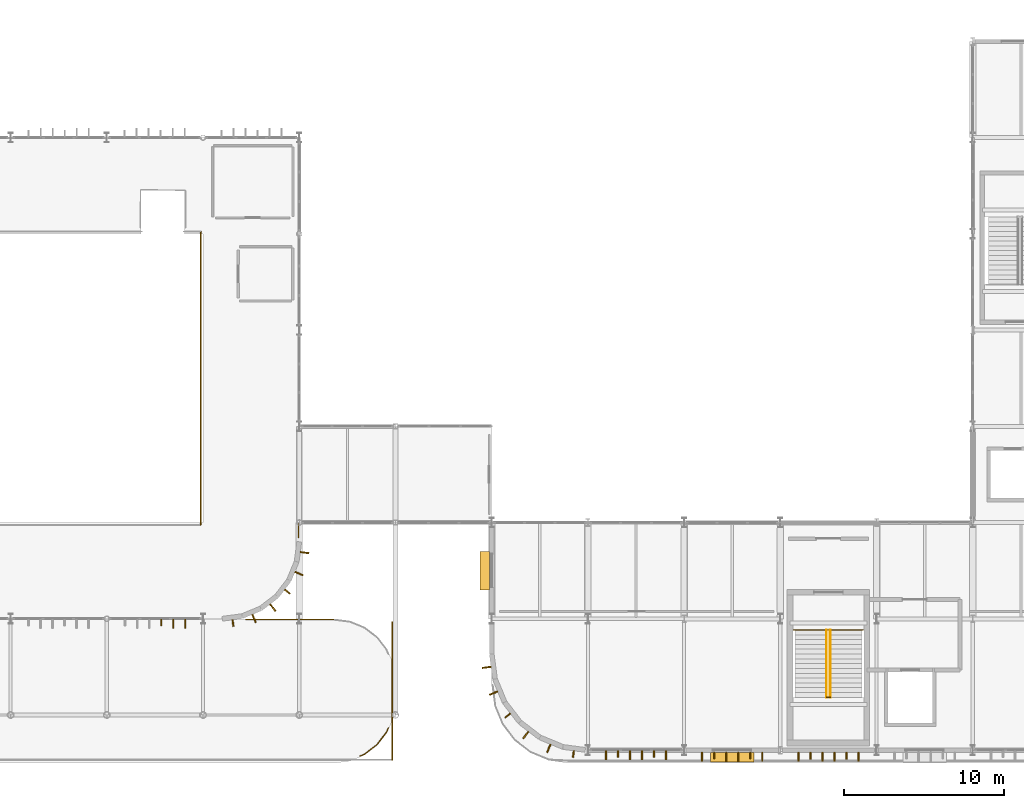
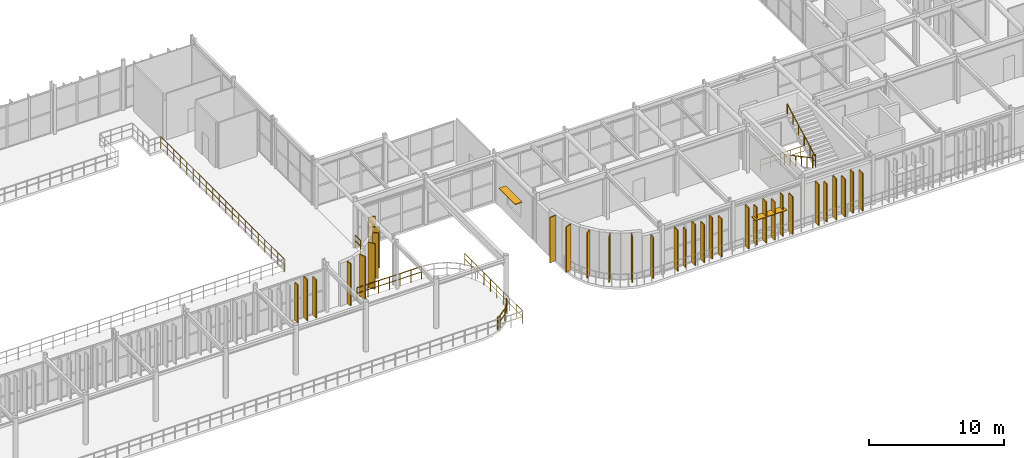
# One storey, part 84 of 96: 33 coverings, 9 railings, 2 shading devices.
"""IFC4 building model written with IfcOpenShell, lengths in metres."""

from ifc_helpers import new_model, si_unit, direction, frame, origin, origin_2d, place, context, subcontext, project, spatial, rectangle, circle, extrude, material, layer, layer_set, type_object, element, save


model = new_model("IFC4")

# Units and contexts
model_context = context("Model", 3, precision=1e-05, world=origin(), true_north=direction((0.0, 1.0)))
body_context = subcontext(model_context, "Body", "Model", "MODEL_VIEW")
ifc_project = project(units=[si_unit("LENGTHUNIT", "METRE"), si_unit("AREAUNIT", "SQUARE_METRE"), si_unit("VOLUMEUNIT", "CUBIC_METRE"), si_unit("PLANEANGLEUNIT", "RADIAN"), si_unit("MASSUNIT", "GRAM", prefix="KILO")], contexts=[model_context])

# Site, building, storey
site_placement = place(None, origin())
site = spatial("IfcSite", under=ifc_project, at=site_placement, CompositionType="ELEMENT")
building_placement = place(site_placement, origin())
building = spatial("IfcBuilding", under=site, at=building_placement, Name="Varnakota Square Police Headquarters", CompositionType="ELEMENT")
storey_placement = place(building_placement, frame((0.0, 0.0, 4.800048828125)))
storey = spatial("IfcBuildingStorey", under=building, at=storey_placement, Name="L01", CompositionType="ELEMENT", Elevation=4.800048828125)

# Coverings
ifc_material_1 = material(Name="White Anodised Aluminium Vertical Facade Blade 420", Category="aluminium")
ifc_layer_1 = layer(ifc_material_1, 0.0849609375, Name="White Anodised Aluminium Vertical Facade Blade 420")
ifc_layer_set_1 = layer_set([ifc_layer_1], Name="White Anodised Aluminium Vertical Facade Blade 420")
covering_type_1 = type_object("IfcCoveringType", Name="COV-FIN-420", PredefinedType="CLADDING", material=ifc_layer_set_1)
covering_1_placement = place(storey_placement, frame((87.3935546875, 8.762451171875, 0.0400390625), z_axis=(0.0, 0.0, 1.0), x_axis=(1.0, 0.0, 0.0)))
element("IfcCovering", 1, at=covering_1_placement, inside=storey, type_object=covering_type_1, Name="Vertical aluminium facade fin FIN-0082", PredefinedType="CLADDING", context=body_context, shape_type="SweptSolid", body=[
    extrude(rectangle(XDim=0.0849609375, YDim=0.419921875, at=origin_2d()), origin(), (0.0, 0.0, 1.0), 3.429931640625),
])
covering_2_placement = place(storey_placement, frame((91.867431640625, 8.729736328125, 0.0400390625), z_axis=(0.0, 0.0, 1.0), x_axis=(0.991444861374, 0.13052619222, 0.0)))
element("IfcCovering", 2, at=covering_2_placement, inside=storey, type_object=covering_type_1, Name="Vertical aluminium facade fin FIN-0133", PredefinedType="CLADDING", context=body_context, shape_type="SweptSolid", body=[
    extrude(rectangle(XDim=0.0849609375, YDim=0.419921875, at=origin_2d()), origin(), (0.0, 0.0, 1.0), 3.81005859375),
])
covering_3_placement = place(storey_placement, frame((95.257080078125, 10.686767578125, 0.0400390625), z_axis=(0.0, 0.0, 1.0), x_axis=(0.608761429009, 0.793353340291, 0.0)))
element("IfcCovering", 3, at=covering_3_placement, inside=storey, type_object=covering_type_1, Name="Vertical aluminium facade fin FIN-0136", PredefinedType="CLADDING", context=body_context, shape_type="SweptSolid", body=[
    extrude(rectangle(XDim=0.0849609375, YDim=0.419921875, at=origin_2d()), origin(), (0.0, 0.0, 1.0), 4.114990234375),
])
covering_4_placement = place(storey_placement, frame((115.875, 0.5625, 0.0400390625), z_axis=(0.0, 0.0, 1.0), x_axis=(1.0, 0.0, 0.0)))
element("IfcCovering", 4, at=covering_4_placement, inside=storey, type_object=covering_type_1, Name="Vertical aluminium facade fin FIN-0234", PredefinedType="CLADDING", context=body_context, shape_type="SweptSolid", body=[
    extrude(rectangle(XDim=0.0849609375, YDim=0.419921875, at=origin_2d()), origin(), (0.0, 0.0, 1.0), 3.429931640625),
])
covering_5_placement = place(storey_placement, frame((118.125, 0.5625, 0.0400390625), z_axis=(0.0, 0.0, 1.0), x_axis=(1.0, 0.0, 0.0)))
element("IfcCovering", 5, at=covering_5_placement, inside=storey, type_object=covering_type_1, Name="Vertical aluminium facade fin FIN-0237", PredefinedType="CLADDING", context=body_context, shape_type="SweptSolid", body=[
    extrude(rectangle(XDim=0.0849609375, YDim=0.419921875, at=origin_2d()), origin(), (0.0, 0.0, 1.0), 3.7099609375),
])
covering_6_placement = place(storey_placement, frame((121.875, 0.465087890625, 0.0400390625), z_axis=(0.0, 0.0, 1.0), x_axis=(1.0, 0.0, 0.0)))
element("IfcCovering", 6, at=covering_6_placement, inside=storey, type_object=covering_type_1, Name="Vertical aluminium facade fin FIN-0240", PredefinedType="CLADDING", context=body_context, shape_type="SweptSolid", body=[
    extrude(rectangle(XDim=0.0849609375, YDim=0.419921875, at=origin_2d()), origin(), (0.0, 0.0, 1.0), 3.429931640625),
])
covering_7_placement = place(storey_placement, frame((124.125, 0.465087890625, 0.0400390625), z_axis=(0.0, 0.0, 1.0), x_axis=(1.0, 0.0, 0.0)))
element("IfcCovering", 7, at=covering_7_placement, inside=storey, type_object=covering_type_1, Name="Vertical aluminium facade fin FIN-0243", PredefinedType="CLADDING", context=body_context, shape_type="SweptSolid", body=[
    extrude(rectangle(XDim=0.0849609375, YDim=0.419921875, at=origin_2d()), origin(), (0.0, 0.0, 1.0), 3.7099609375),
])
covering_8_placement = place(storey_placement, frame((127.875, 0.455078125, 0.0400390625), z_axis=(0.0, 0.0, 1.0), x_axis=(1.0, 0.0, 0.0)))
element("IfcCovering", 8, at=covering_8_placement, inside=storey, type_object=covering_type_1, Name="Vertical aluminium facade fin FIN-0246", PredefinedType="CLADDING", context=body_context, shape_type="SweptSolid", body=[
    extrude(rectangle(XDim=0.0849609375, YDim=0.419921875, at=origin_2d()), origin(), (0.0, 0.0, 1.0), 3.429931640625),
])
covering_9_placement = place(storey_placement, frame((130.125, 0.455078125, 0.0400390625), z_axis=(0.0, 0.0, 1.0), x_axis=(1.0, 0.0, 0.0)))
element("IfcCovering", 9, at=covering_9_placement, inside=storey, type_object=covering_type_1, Name="Vertical aluminium facade fin FIN-0249", PredefinedType="CLADDING", context=body_context, shape_type="SweptSolid", body=[
    extrude(rectangle(XDim=0.0849609375, YDim=0.419921875, at=origin_2d()), origin(), (0.0, 0.0, 1.0), 3.7099609375),
])
covering_10_placement = place(storey_placement, frame((108.9990234375, 2.962646484375, 0.0400390625), z_axis=(0.0, 0.0, 1.0), x_axis=(0.608761429009, -0.793353340291, 0.0)))
element("IfcCovering", 10, at=covering_10_placement, inside=storey, type_object=covering_type_1, Name="Vertical aluminium facade fin FIN-0316", PredefinedType="CLADDING", context=body_context, shape_type="SweptSolid", body=[
    extrude(rectangle(XDim=0.0849609375, YDim=0.419921875, at=origin_2d()), origin(), (0.0, 0.0, 1.0), 4.114990234375),
])
covering_11_placement = place(storey_placement, frame((113.094482421875, 0.56103515625, 0.0400390625), z_axis=(0.0, 0.0, 1.0), x_axis=(0.991444861374, -0.13052619222, 0.0)))
element("IfcCovering", 11, at=covering_11_placement, inside=storey, type_object=covering_type_1, Name="Vertical aluminium facade fin FIN-0319", PredefinedType="CLADDING", context=body_context, shape_type="SweptSolid", body=[
    extrude(rectangle(XDim=0.0849609375, YDim=0.419921875, at=origin_2d()), origin(), (0.0, 0.0, 1.0), 3.7099609375),
])
ifc_material_2 = material(Name="White Anodised Aluminium Vertical Facade Blade 550", Category="aluminium")
ifc_layer_2 = layer(ifc_material_2, 0.0849609375, Name="White Anodised Aluminium Vertical Facade Blade 550")
ifc_layer_set_2 = layer_set([ifc_layer_2], Name="White Anodised Aluminium Vertical Facade Blade 550")
covering_type_2 = type_object("IfcCoveringType", Name="COV-FIN-550", PredefinedType="CLADDING", material=ifc_layer_set_2)
covering_12_placement = place(storey_placement, frame((88.1435546875, 8.697509765625, 0.0400390625), z_axis=(0.0, 0.0, 1.0), x_axis=(1.0, 0.0, 0.0)))
element("IfcCovering", 12, at=covering_12_placement, inside=storey, type_object=covering_type_2, Name="Vertical aluminium facade fin FIN-0083", PredefinedType="CLADDING", context=body_context, shape_type="SweptSolid", body=[
    extrude(rectangle(XDim=0.0849609375, YDim=0.550048828125, at=origin_2d()), origin(), (0.0, 0.0, 1.0), 3.7099609375),
])
covering_13_placement = place(storey_placement, frame((88.8935546875, 8.697509765625, 0.0400390625), z_axis=(0.0, 0.0, 1.0), x_axis=(1.0, 0.0, 0.0)))
element("IfcCovering", 13, at=covering_13_placement, inside=storey, type_object=covering_type_2, Name="Vertical aluminium facade fin FIN-0084", PredefinedType="CLADDING", context=body_context, shape_type="SweptSolid", body=[
    extrude(rectangle(XDim=0.0849609375, YDim=0.550048828125, at=origin_2d()), origin(), (0.0, 0.0, 1.0), 3.429931640625),
])
covering_14_placement = place(storey_placement, frame((93.181884765625, 9.015380859375, 0.0400390625), z_axis=(0.0, 0.0, 1.0), x_axis=(0.923879532511, 0.382683432365, 0.0)))
element("IfcCovering", 14, at=covering_14_placement, inside=storey, type_object=covering_type_2, Name="Vertical aluminium facade fin FIN-0134", PredefinedType="CLADDING", context=body_context, shape_type="SweptSolid", body=[
    extrude(rectangle(XDim=0.0849609375, YDim=0.550048828125, at=origin_2d()), origin(), (0.0, 0.0, 1.0), 3.81005859375),
])
covering_15_placement = place(storey_placement, frame((94.352783203125, 9.69140625, 0.0400390625), z_axis=(0.0, 0.0, 1.0), x_axis=(0.793353340291, 0.608761429009, 0.0)))
element("IfcCovering", 15, at=covering_15_placement, inside=storey, type_object=covering_type_2, Name="Vertical aluminium facade fin FIN-0135", PredefinedType="CLADDING", context=body_context, shape_type="SweptSolid", body=[
    extrude(rectangle(XDim=0.0849609375, YDim=0.550048828125, at=origin_2d()), origin(), (0.0, 0.0, 1.0), 4.114990234375),
])
for number, where, z_axis, x_axis, name in (
    (16, (95.984619140625, 11.818115234375, 0.0400390625), (0.0, 0.0, 1.0), (0.382683432365, 0.923879532511, 0.0), "Vertical aluminium facade fin FIN-0137"),
    (17, (96.334716796875, 13.1240234375, 0.0400390625), (0.0, 0.0, 1.0), (0.13052619222, 0.991444861374, 0.0), "Vertical aluminium facade fin FIN-0138"),
):
    element("IfcCovering", number, at=place(storey_placement, frame(where, z_axis=z_axis, x_axis=x_axis)), inside=storey, type_object=covering_type_2, Name=name, PredefinedType="CLADDING", context=body_context, shape_type="SweptSolid", body=[
        extrude(rectangle(XDim=0.0849609375, YDim=0.550048828125, at=origin_2d()), origin(), (0.0, 0.0, 1.0), 3.70361328125),
    ])
for number, where, z_axis, x_axis, name in (
    (18, (115.125, 0.49755859375, 0.0400390625), (0.0, 0.0, 1.0), (1.0, 0.0, 0.0), "Vertical aluminium facade fin FIN-0233"),
    (19, (116.625, 0.49755859375, 0.0400390625), (0.0, 0.0, 1.0), (1.0, 0.0, 0.0), "Vertical aluminium facade fin FIN-0235"),
):
    element("IfcCovering", number, at=place(storey_placement, frame(where, z_axis=z_axis, x_axis=x_axis)), inside=storey, type_object=covering_type_2, Name=name, PredefinedType="CLADDING", context=body_context, shape_type="SweptSolid", body=[
        extrude(rectangle(XDim=0.0849609375, YDim=0.550048828125, at=origin_2d()), origin(), (0.0, 0.0, 1.0), 3.7099609375),
    ])
for number, where, z_axis, x_axis, name in (
    (20, (117.375, 0.49755859375, 0.0400390625), (0.0, 0.0, 1.0), (1.0, 0.0, 0.0), "Vertical aluminium facade fin FIN-0236"),
    (21, (118.875, 0.49755859375, 0.0400390625), (0.0, 0.0, 1.0), (1.0, 0.0, 0.0), "Vertical aluminium facade fin FIN-0238"),
):
    element("IfcCovering", number, at=place(storey_placement, frame(where, z_axis=z_axis, x_axis=x_axis)), inside=storey, type_object=covering_type_2, Name=name, PredefinedType="CLADDING", context=body_context, shape_type="SweptSolid", body=[
        extrude(rectangle(XDim=0.0849609375, YDim=0.550048828125, at=origin_2d()), origin(), (0.0, 0.0, 1.0), 3.429931640625),
    ])
for number, where, z_axis, x_axis, name in (
    (22, (121.125, 0.39990234375, 0.0400390625), (0.0, 0.0, 1.0), (1.0, 0.0, 0.0), "Vertical aluminium facade fin FIN-0239"),
    (23, (122.625, 0.39990234375, 0.0400390625), (0.0, 0.0, 1.0), (1.0, 0.0, 0.0), "Vertical aluminium facade fin FIN-0241"),
):
    element("IfcCovering", number, at=place(storey_placement, frame(where, z_axis=z_axis, x_axis=x_axis)), inside=storey, type_object=covering_type_2, Name=name, PredefinedType="CLADDING", context=body_context, shape_type="SweptSolid", body=[
        extrude(rectangle(XDim=0.0849609375, YDim=0.550048828125, at=origin_2d()), origin(), (0.0, 0.0, 1.0), 3.7099609375),
    ])
for number, where, z_axis, x_axis, name in (
    (24, (123.375, 0.39990234375, 0.0400390625), (0.0, 0.0, 1.0), (1.0, 0.0, 0.0), "Vertical aluminium facade fin FIN-0242"),
    (25, (124.875, 0.39990234375, 0.0400390625), (0.0, 0.0, 1.0), (1.0, 0.0, 0.0), "Vertical aluminium facade fin FIN-0244"),
):
    element("IfcCovering", number, at=place(storey_placement, frame(where, z_axis=z_axis, x_axis=x_axis)), inside=storey, type_object=covering_type_2, Name=name, PredefinedType="CLADDING", context=body_context, shape_type="SweptSolid", body=[
        extrude(rectangle(XDim=0.0849609375, YDim=0.550048828125, at=origin_2d()), origin(), (0.0, 0.0, 1.0), 3.429931640625),
    ])
for number, where, z_axis, x_axis, name in (
    (26, (127.125, 0.389892578125, 0.0400390625), (0.0, 0.0, 1.0), (1.0, 0.0, 0.0), "Vertical aluminium facade fin FIN-0245"),
    (27, (128.625, 0.389892578125, 0.0400390625), (0.0, 0.0, 1.0), (1.0, 0.0, 0.0), "Vertical aluminium facade fin FIN-0247"),
):
    element("IfcCovering", number, at=place(storey_placement, frame(where, z_axis=z_axis, x_axis=x_axis)), inside=storey, type_object=covering_type_2, Name=name, PredefinedType="CLADDING", context=body_context, shape_type="SweptSolid", body=[
        extrude(rectangle(XDim=0.0849609375, YDim=0.550048828125, at=origin_2d()), origin(), (0.0, 0.0, 1.0), 3.7099609375),
    ])
for number, where, z_axis, x_axis, name in (
    (28, (129.375, 0.389892578125, 0.0400390625), (0.0, 0.0, 1.0), (1.0, 0.0, 0.0), "Vertical aluminium facade fin FIN-0248"),
    (29, (130.875, 0.389892578125, 0.0400390625), (0.0, 0.0, 1.0), (1.0, 0.0, 0.0), "Vertical aluminium facade fin FIN-0250"),
):
    element("IfcCovering", number, at=place(storey_placement, frame(where, z_axis=z_axis, x_axis=x_axis)), inside=storey, type_object=covering_type_2, Name=name, PredefinedType="CLADDING", context=body_context, shape_type="SweptSolid", body=[
        extrude(rectangle(XDim=0.0849609375, YDim=0.550048828125, at=origin_2d()), origin(), (0.0, 0.0, 1.0), 3.429931640625),
    ])
for number, where, z_axis, x_axis, name in (
    (30, (107.685791015625, 5.96875, 0.0400390625), (0.0, 0.0, 1.0), (0.13052619222, -0.991444861374, 0.0), "Vertical aluminium facade fin FIN-0314"),
    (31, (108.1162109375, 4.36279296875, 0.0400390625), (0.0, 0.0, 1.0), (0.382683432365, -0.923879532511, 0.0), "Vertical aluminium facade fin FIN-0315"),
    (32, (110.123046875, 1.747314453125, 0.0400390625), (0.0, 0.0, 1.0), (0.793353340291, -0.608761429009, 0.0), "Vertical aluminium facade fin FIN-0317"),
    (33, (111.562744140625, 0.916015625, 0.0400390625), (0.0, 0.0, 1.0), (0.923879532511, -0.382683432365, 0.0), "Vertical aluminium facade fin FIN-0318"),
):
    element("IfcCovering", number, at=place(storey_placement, frame(where, z_axis=z_axis, x_axis=x_axis)), inside=storey, type_object=covering_type_2, Name=name, PredefinedType="CLADDING", context=body_context, shape_type="SweptSolid", body=[
        extrude(rectangle(XDim=0.0849609375, YDim=0.550048828125, at=origin_2d()), origin(), (0.0, 0.0, 1.0), 4.114990234375),
    ])

# Railings
ifc_material_3 = material(Name="Galvanised Powder-Coated Steel Guardrail", Category="steel")
railing_type_1 = type_object("IfcRailingType", Name="RL-BAL-1150", PredefinedType="BALUSTRADE", material=ifc_material_3)
railing_1_placement = place(storey_placement, frame((101.800048828125, 0.199951171875, 0.0)))
element("IfcRailing", 34, at=railing_1_placement, inside=storey, type_object=railing_type_1, Name="Terrace safety balustrade GD-L01-002", PredefinedType="BALUSTRADE", context=body_context, shape_type="SweptSolid", body=[
    extrude(circle(Radius=0.02392578125, at=origin_2d()), frame((0.0, 0.0, 1.1259765625), z_axis=(0.0, 1.0, 0.0), x_axis=(-1.0, 0.0, 0.0)), (0.0, 0.0, 1.0), 8.60009765625),
    extrude(circle(Radius=0.01806640625, at=origin_2d()), frame((0.0, 0.0, 0.63232421875), z_axis=(0.0, 1.0, 0.0), x_axis=(-1.0, 0.0, 0.0)), (0.0, 0.0, 1.0), 8.60009765625),
    extrude(circle(Radius=0.02099609375, at=origin_2d()), origin(), (0.0, 0.0, 1.0), 1.101806640625),
    extrude(circle(Radius=0.02099609375, at=origin_2d()), frame((0.0, 0.95556640625, 0.0)), (0.0, 0.0, 1.0), 1.101806640625),
    extrude(circle(Radius=0.02099609375, at=origin_2d()), frame((0.0, 1.9111328125, 0.0)), (0.0, 0.0, 1.0), 1.101806640625),
    extrude(circle(Radius=0.02099609375, at=origin_2d()), frame((0.0, 2.86669921875, 0.0)), (0.0, 0.0, 1.0), 1.101806640625),
    extrude(circle(Radius=0.02099609375, at=origin_2d()), frame((0.0, 3.822265625, 0.0)), (0.0, 0.0, 1.0), 1.101806640625),
    extrude(circle(Radius=0.02099609375, at=origin_2d()), frame((0.0, 4.77783203125, 0.0)), (0.0, 0.0, 1.0), 1.101806640625),
    extrude(circle(Radius=0.02099609375, at=origin_2d()), frame((0.0, 5.7333984375, 0.0)), (0.0, 0.0, 1.0), 1.101806640625),
    extrude(circle(Radius=0.02099609375, at=origin_2d()), frame((0.0, 6.68896484375, 0.0)), (0.0, 0.0, 1.0), 1.101806640625),
    extrude(circle(Radius=0.02099609375, at=origin_2d()), frame((0.0, 7.64453125, 0.0)), (0.0, 0.0, 1.0), 1.101806640625),
    extrude(circle(Radius=0.02099609375, at=origin_2d()), frame((0.0, 8.60009765625, 0.0)), (0.0, 0.0, 1.0), 1.101806640625),
])
railing_2_placement = place(storey_placement, frame((101.56005859375, 2.197509765625, 0.0)))
element("IfcRailing", 35, at=railing_2_placement, inside=storey, type_object=railing_type_1, Name="Perimeter edge safety guard GD-AUTO-L01-033", PredefinedType="BALUSTRADE", context=body_context, shape_type="SweptSolid", body=[
    extrude(circle(Radius=0.02392578125, at=origin_2d()), frame((0.0, 0.0, 1.1259765625), z_axis=(-0.382790839847, -0.923835035561, 0.0), x_axis=(0.923835035561, -0.382790839847, 0.0)), (0.0, 0.0, 1.0), 0.294677734375),
    extrude(circle(Radius=0.01806640625, at=origin_2d()), frame((0.0, 0.0, 0.63232421875), z_axis=(-0.382790839847, -0.923835035561, 0.0), x_axis=(0.923835035561, -0.382790839847, 0.0)), (0.0, 0.0, 1.0), 0.294677734375),
    extrude(circle(Radius=0.02392578125, at=origin_2d()), frame((-0.11279296875, -0.272216796875, 1.1259765625), z_axis=(-0.60878228298, -0.793337338041, 0.0), x_axis=(0.793337338041, -0.60878228298, 0.0)), (0.0, 0.0, 1.0), 0.97900390625),
    extrude(circle(Radius=0.01806640625, at=origin_2d()), frame((-0.11279296875, -0.272216796875, 0.63232421875), z_axis=(-0.60878228298, -0.793337338041, 0.0), x_axis=(0.793337338041, -0.60878228298, 0.0)), (0.0, 0.0, 1.0), 0.97900390625),
    extrude(circle(Radius=0.02392578125, at=origin_2d()), frame((-0.708740234375, -1.048828125, 1.1259765625), z_axis=(-0.793337338041, -0.60878228298, 0.0), x_axis=(0.60878228298, -0.793337338041, 0.0)), (0.0, 0.0, 1.0), 0.97900390625),
    extrude(circle(Radius=0.01806640625, at=origin_2d()), frame((-0.708740234375, -1.048828125, 0.63232421875), z_axis=(-0.793337338041, -0.60878228298, 0.0), x_axis=(0.60878228298, -0.793337338041, 0.0)), (0.0, 0.0, 1.0), 0.97900390625),
    extrude(circle(Radius=0.02392578125, at=origin_2d()), frame((-1.4853515625, -1.644775390625, 1.1259765625), z_axis=(-0.923835035561, -0.382790839847, 0.0), x_axis=(0.382790839847, -0.923835035561, 0.0)), (0.0, 0.0, 1.0), 0.294677734375),
    extrude(circle(Radius=0.01806640625, at=origin_2d()), frame((-1.4853515625, -1.644775390625, 0.63232421875), z_axis=(-0.923835035561, -0.382790839847, 0.0), x_axis=(0.382790839847, -0.923835035561, 0.0)), (0.0, 0.0, 1.0), 0.294677734375),
    extrude(circle(Radius=0.02099609375, at=origin_2d()), origin(), (0.0, 0.0, 1.0), 1.101806640625),
    extrude(circle(Radius=0.02099609375, at=origin_2d()), frame((-0.11279296875, -0.272216796875, 0.0)), (0.0, 0.0, 1.0), 1.101806640625),
    extrude(circle(Radius=0.02099609375, at=origin_2d()), frame((-0.708740234375, -1.048828125, 0.0)), (0.0, 0.0, 1.0), 1.101806640625),
    extrude(circle(Radius=0.02099609375, at=origin_2d()), frame((-1.4853515625, -1.644775390625, 0.0)), (0.0, 0.0, 1.0), 1.101806640625),
    extrude(circle(Radius=0.02099609375, at=origin_2d()), frame((-1.757568359375, -1.757568359375, 0.0)), (0.0, 0.0, 1.0), 1.101806640625),
])
railing_3_placement = place(storey_placement, frame((95.949951171875, 14.89794921875, 0.0)))
element("IfcRailing", 36, at=railing_3_placement, inside=storey, type_object=railing_type_1, Name="Perimeter edge safety guard GD-AUTO-L01-040", PredefinedType="BALUSTRADE", context=body_context, shape_type="SweptSolid", body=[
    extrude(circle(Radius=0.02392578125, at=origin_2d()), frame((0.0, 0.0, 1.1259765625), z_axis=(0.0, -1.0, 0.0), x_axis=(1.0, 0.0, 0.0)), (0.0, 0.0, 1.0), 0.8125),
    extrude(circle(Radius=0.01806640625, at=origin_2d()), frame((0.0, 0.0, 0.63232421875), z_axis=(0.0, -1.0, 0.0), x_axis=(1.0, 0.0, 0.0)), (0.0, 0.0, 1.0), 0.8125),
    extrude(circle(Radius=0.02099609375, at=origin_2d()), origin(), (0.0, 0.0, 1.0), 1.101806640625),
    extrude(circle(Radius=0.02099609375, at=origin_2d()), frame((0.0, -0.8125, 0.0)), (0.0, 0.0, 1.0), 1.101806640625),
])
railing_4_placement = place(storey_placement, frame((92.684326171875, 8.949951171875, 0.0)))
element("IfcRailing", 37, at=railing_4_placement, inside=storey, type_object=railing_type_1, Name="Perimeter edge safety guard GD-AUTO-L01-041", PredefinedType="BALUSTRADE", context=body_context, shape_type="SweptSolid", body=[
    extrude(circle(Radius=0.02392578125, at=origin_2d()), frame((0.0, 0.0, 1.1259765625), z_axis=(1.0, 0.0, 0.0), x_axis=(0.0, 1.0, 0.0)), (0.0, 0.0, 1.0), 5.512451171875),
    extrude(circle(Radius=0.01806640625, at=origin_2d()), frame((0.0, 0.0, 0.63232421875), z_axis=(1.0, 0.0, 0.0), x_axis=(0.0, 1.0, 0.0)), (0.0, 0.0, 1.0), 5.512451171875),
    extrude(circle(Radius=0.02099609375, at=origin_2d()), origin(), (0.0, 0.0, 1.0), 1.101806640625),
    extrude(circle(Radius=0.02099609375, at=origin_2d()), frame((0.918701171875, 0.0, 0.0)), (0.0, 0.0, 1.0), 1.101806640625),
    extrude(circle(Radius=0.02099609375, at=origin_2d()), frame((1.83740234375, 0.0, 0.0)), (0.0, 0.0, 1.0), 1.101806640625),
    extrude(circle(Radius=0.02099609375, at=origin_2d()), frame((2.75634765625, 0.0, 0.0)), (0.0, 0.0, 1.0), 1.101806640625),
    extrude(circle(Radius=0.02099609375, at=origin_2d()), frame((3.675048828125, 0.0, 0.0)), (0.0, 0.0, 1.0), 1.101806640625),
    extrude(circle(Radius=0.02099609375, at=origin_2d()), frame((4.59375, 0.0, 0.0)), (0.0, 0.0, 1.0), 1.101806640625),
    extrude(circle(Radius=0.02099609375, at=origin_2d()), frame((5.512451171875, 0.0, 0.0)), (0.0, 0.0, 1.0), 1.101806640625),
])
ifc_material_4 = material(Name="Brushed Stainless Steel Tubular Handrail", Category="steel")
railing_type_2 = type_object("IfcRailingType", Name="RL-HND-920", PredefinedType="HANDRAIL", material=ifc_material_4)
railing_5_placement = place(storey_placement, frame((128.8798828125, 8.300048828125, 0.0)))
element("IfcRailing", 38, at=railing_5_placement, inside=storey, type_object=railing_type_2, Name="Stair flight handrail HR-L01-003", PredefinedType="HANDRAIL", context=body_context, shape_type="SweptSolid", body=[
    extrude(circle(Radius=0.02392578125, at=origin_2d()), frame((0.0, 0.0, 0.89599609375), z_axis=(0.0, -0.881511956786, 0.472161699043), x_axis=(1.0, 0.0, 0.0)), (0.0, 0.0, 1.0), 4.765380859375),
    extrude(circle(Radius=0.02099609375, at=origin_2d()), origin(), (0.0, 0.0, 1.0), 0.871826171875),
    extrude(circle(Radius=0.02099609375, at=origin_2d()), frame((0.0, -0.840087890625, 0.449951171875)), (0.0, 0.0, 1.0), 0.871826171875),
    extrude(circle(Radius=0.02099609375, at=origin_2d()), frame((0.0, -1.68017578125, 0.89990234375)), (0.0, 0.0, 1.0), 0.871826171875),
    extrude(circle(Radius=0.02099609375, at=origin_2d()), frame((0.0, -2.5205078125, 1.35009765625)), (0.0, 0.0, 1.0), 0.871826171875),
    extrude(circle(Radius=0.02099609375, at=origin_2d()), frame((0.0, -3.360595703125, 1.800048828125)), (0.0, 0.0, 1.0), 0.871826171875),
    extrude(circle(Radius=0.02099609375, at=origin_2d()), frame((0.0, -4.20068359375, 2.25)), (0.0, 0.0, 1.0), 0.871826171875),
])
railing_6_placement = place(storey_placement, frame((129.1201171875, 4.099365234375, 2.25)))
element("IfcRailing", 39, at=railing_6_placement, inside=storey, type_object=railing_type_2, Name="Stair flight handrail HR-L01-004", PredefinedType="HANDRAIL", context=body_context, shape_type="SweptSolid", body=[
    extrude(circle(Radius=0.02392578125, at=origin_2d()), frame((0.0, 0.0, 0.89599609375), z_axis=(0.0, 0.881511956786, 0.472161699043), x_axis=(-1.0, 0.0, 0.0)), (0.0, 0.0, 1.0), 4.765380859375),
    extrude(circle(Radius=0.02099609375, at=origin_2d()), origin(), (0.0, 0.0, 1.0), 0.871826171875),
    extrude(circle(Radius=0.02099609375, at=origin_2d()), frame((0.0, 0.840087890625, 0.449951171875)), (0.0, 0.0, 1.0), 0.871826171875),
    extrude(circle(Radius=0.02099609375, at=origin_2d()), frame((0.0, 1.68017578125, 0.89990234375)), (0.0, 0.0, 1.0), 0.871826171875),
    extrude(circle(Radius=0.02099609375, at=origin_2d()), frame((0.0, 2.5205078125, 1.35009765625)), (0.0, 0.0, 1.0), 0.871826171875),
    extrude(circle(Radius=0.02099609375, at=origin_2d()), frame((0.0, 3.360595703125, 1.800048828125)), (0.0, 0.0, 1.0), 0.871826171875),
    extrude(circle(Radius=0.02099609375, at=origin_2d()), frame((0.0, 4.20068359375, 2.25)), (0.0, 0.0, 1.0), 0.871826171875),
])
ifc_material_5 = material(Name="Laminated Glass and Stainless Steel Balustrade", Category="steel")
railing_type_3 = type_object("IfcRailingType", Name="RL-INT-1150", PredefinedType="BALUSTRADE", material=ifc_material_5)
railing_7_placement = place(storey_placement, frame((126.840087890625, 8.300048828125, 0.0)))
element("IfcRailing", 40, at=railing_7_placement, inside=storey, type_object=railing_type_3, Name="Stair well safety guard C1 L01", PredefinedType="BALUSTRADE", context=body_context, shape_type="SweptSolid", body=[
    extrude(circle(Radius=0.02392578125, at=origin_2d()), frame((0.0, 0.0, 1.1259765625), z_axis=(1.0, 0.0, 0.0), x_axis=(0.0, 1.0, 0.0)), (0.0, 0.0, 1.0), 4.31982421875),
    extrude(circle(Radius=0.01806640625, at=origin_2d()), frame((0.0, 0.0, 0.63232421875), z_axis=(1.0, 0.0, 0.0), x_axis=(0.0, 1.0, 0.0)), (0.0, 0.0, 1.0), 4.31982421875),
    extrude(circle(Radius=0.02099609375, at=origin_2d()), origin(), (0.0, 0.0, 1.0), 1.101806640625),
    extrude(circle(Radius=0.02099609375, at=origin_2d()), frame((0.864013671875, 0.0, 0.0)), (0.0, 0.0, 1.0), 1.101806640625),
    extrude(circle(Radius=0.02099609375, at=origin_2d()), frame((1.72802734375, 0.0, 0.0)), (0.0, 0.0, 1.0), 1.101806640625),
    extrude(circle(Radius=0.02099609375, at=origin_2d()), frame((2.591796875, 0.0, 0.0)), (0.0, 0.0, 1.0), 1.101806640625),
    extrude(circle(Radius=0.02099609375, at=origin_2d()), frame((3.455810546875, 0.0, 0.0)), (0.0, 0.0, 1.0), 1.101806640625),
    extrude(circle(Radius=0.02099609375, at=origin_2d()), frame((4.31982421875, 0.0, 0.0)), (0.0, 0.0, 1.0), 1.101806640625),
])
railing_8_placement = place(storey_placement, frame((128.869873046875, 4.099365234375, 2.25)))
element("IfcRailing", 41, at=railing_8_placement, inside=storey, type_object=railing_type_3, Name="Half-landing well guard C1 L01", PredefinedType="BALUSTRADE", context=body_context, shape_type="SweptSolid", body=[
    extrude(circle(Radius=0.02392578125, at=origin_2d()), frame((0.0, 0.0, 1.1259765625), z_axis=(1.0, 0.0, 0.0), x_axis=(0.0, 1.0, 0.0)), (0.0, 0.0, 1.0), 0.26025390625),
    extrude(circle(Radius=0.01806640625, at=origin_2d()), frame((0.0, 0.0, 0.63232421875), z_axis=(1.0, 0.0, 0.0), x_axis=(0.0, 1.0, 0.0)), (0.0, 0.0, 1.0), 0.26025390625),
    extrude(circle(Radius=0.02099609375, at=origin_2d()), origin(), (0.0, 0.0, 1.0), 1.101806640625),
    extrude(circle(Radius=0.02099609375, at=origin_2d()), frame((0.26025390625, 0.0, 0.0)), (0.0, 0.0, 1.0), 1.101806640625),
])
railing_9_placement = place(storey_placement, frame((89.85009765625, 14.85009765625, 0.0)))
element("IfcRailing", 42, at=railing_9_placement, inside=storey, type_object=railing_type_3, Name="Entrance hall gallery balustrade", PredefinedType="BALUSTRADE", context=body_context, shape_type="SweptSolid", body=[
    extrude(circle(Radius=0.02392578125, at=origin_2d()), frame((0.0, 0.0, 1.1259765625), z_axis=(0.0, 1.0, 0.0), x_axis=(-1.0, 0.0, 0.0)), (0.0, 0.0, 1.0), 18.2998046875),
    extrude(circle(Radius=0.01806640625, at=origin_2d()), frame((0.0, 0.0, 0.63232421875), z_axis=(0.0, 1.0, 0.0), x_axis=(-1.0, 0.0, 0.0)), (0.0, 0.0, 1.0), 18.2998046875),
    extrude(circle(Radius=0.02099609375, at=origin_2d()), origin(), (0.0, 0.0, 1.0), 1.101806640625),
    extrude(circle(Radius=0.02099609375, at=origin_2d()), frame((0.0, 0.963134765625, 0.0)), (0.0, 0.0, 1.0), 1.101806640625),
    extrude(circle(Radius=0.02099609375, at=origin_2d()), frame((0.0, 1.92626953125, 0.0)), (0.0, 0.0, 1.0), 1.101806640625),
    extrude(circle(Radius=0.02099609375, at=origin_2d()), frame((0.0, 2.889404296875, 0.0)), (0.0, 0.0, 1.0), 1.101806640625),
    extrude(circle(Radius=0.02099609375, at=origin_2d()), frame((0.0, 3.8525390625, 0.0)), (0.0, 0.0, 1.0), 1.101806640625),
    extrude(circle(Radius=0.02099609375, at=origin_2d()), frame((0.0, 4.815673828125, 0.0)), (0.0, 0.0, 1.0), 1.101806640625),
    extrude(circle(Radius=0.02099609375, at=origin_2d()), frame((0.0, 5.77880859375, 0.0)), (0.0, 0.0, 1.0), 1.101806640625),
    extrude(circle(Radius=0.02099609375, at=origin_2d()), frame((0.0, 6.741943359375, 0.0)), (0.0, 0.0, 1.0), 1.101806640625),
    extrude(circle(Radius=0.02099609375, at=origin_2d()), frame((0.0, 7.705078125, 0.0)), (0.0, 0.0, 1.0), 1.101806640625),
    extrude(circle(Radius=0.02099609375, at=origin_2d()), frame((0.0, 8.668212890625, 0.0)), (0.0, 0.0, 1.0), 1.101806640625),
    extrude(circle(Radius=0.02099609375, at=origin_2d()), frame((0.0, 9.631591796875, 0.0)), (0.0, 0.0, 1.0), 1.101806640625),
    extrude(circle(Radius=0.02099609375, at=origin_2d()), frame((0.0, 10.5947265625, 0.0)), (0.0, 0.0, 1.0), 1.101806640625),
    extrude(circle(Radius=0.02099609375, at=origin_2d()), frame((0.0, 11.557861328125, 0.0)), (0.0, 0.0, 1.0), 1.101806640625),
    extrude(circle(Radius=0.02099609375, at=origin_2d()), frame((0.0, 12.52099609375, 0.0)), (0.0, 0.0, 1.0), 1.101806640625),
    extrude(circle(Radius=0.02099609375, at=origin_2d()), frame((0.0, 13.484130859375, 0.0)), (0.0, 0.0, 1.0), 1.101806640625),
    extrude(circle(Radius=0.02099609375, at=origin_2d()), frame((0.0, 14.447265625, 0.0)), (0.0, 0.0, 1.0), 1.101806640625),
    extrude(circle(Radius=0.02099609375, at=origin_2d()), frame((0.0, 15.410400390625, 0.0)), (0.0, 0.0, 1.0), 1.101806640625),
    extrude(circle(Radius=0.02099609375, at=origin_2d()), frame((0.0, 16.37353515625, 0.0)), (0.0, 0.0, 1.0), 1.101806640625),
    extrude(circle(Radius=0.02099609375, at=origin_2d()), frame((0.0, 17.336669921875, 0.0)), (0.0, 0.0, 1.0), 1.101806640625),
    extrude(circle(Radius=0.02099609375, at=origin_2d()), frame((0.0, 18.2998046875, 0.0)), (0.0, 0.0, 1.0), 1.101806640625),
])

# Shading devices
ifc_material_6 = material(Name="Anodised Aluminium Horizontal Brise-Soleil", Category="aluminium")
ifc_layer_3 = layer(ifc_material_6, 0.06005859375, Name="Anodised Aluminium Horizontal Brise-Soleil")
ifc_layer_set_3 = layer_set([ifc_layer_3], Name="Anodised Aluminium Horizontal Brise-Soleil")
shading_device_type = type_object("IfcShadingDeviceType", Name="SHD-JAL-600", PredefinedType="JALOUSIE", material=ifc_layer_set_3)
shading_device_1_placement = place(storey_placement, frame((123.0, 0.3720703125, 2.39990234375), z_axis=(0.0, 0.0, 1.0), x_axis=(1.0, 0.0, 0.0)))
element("IfcShadingDevice", 43, at=shading_device_1_placement, inside=storey, type_object=shading_device_type, Name="Horizontal sunshade SHD-015", PredefinedType="JALOUSIE", context=body_context, shape_type="SweptSolid", body=[
    extrude(rectangle(XDim=2.699951171875, YDim=0.60009765625, at=origin_2d()), origin(), (0.0, 0.0, 1.0), 0.06005859375),
])
shading_device_2_placement = place(storey_placement, frame((107.572021484375, 12.0, 2.39990234375), z_axis=(0.0, 0.0, 1.0), x_axis=(0.0, 1.0, 0.0)))
element("IfcShadingDevice", 44, at=shading_device_2_placement, inside=storey, type_object=shading_device_type, Name="Horizontal sunshade SHD-018", PredefinedType="JALOUSIE", context=body_context, shape_type="SweptSolid", body=[
    extrude(rectangle(XDim=2.39990234375, YDim=0.60009765625, at=origin_2d()), origin(), (0.0, 0.0, 1.0), 0.06005859375),
])

save(model, "model.ifc")
